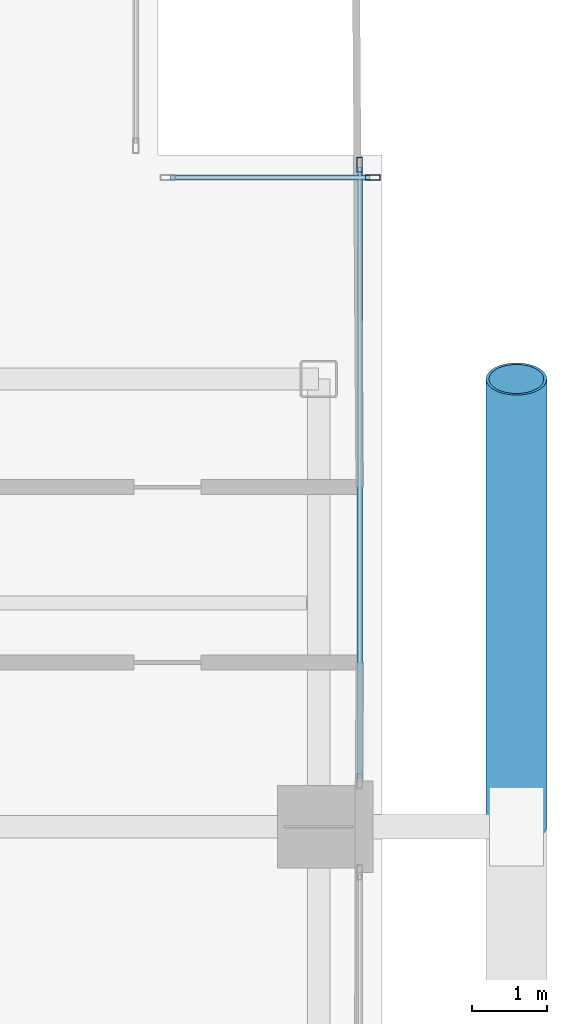
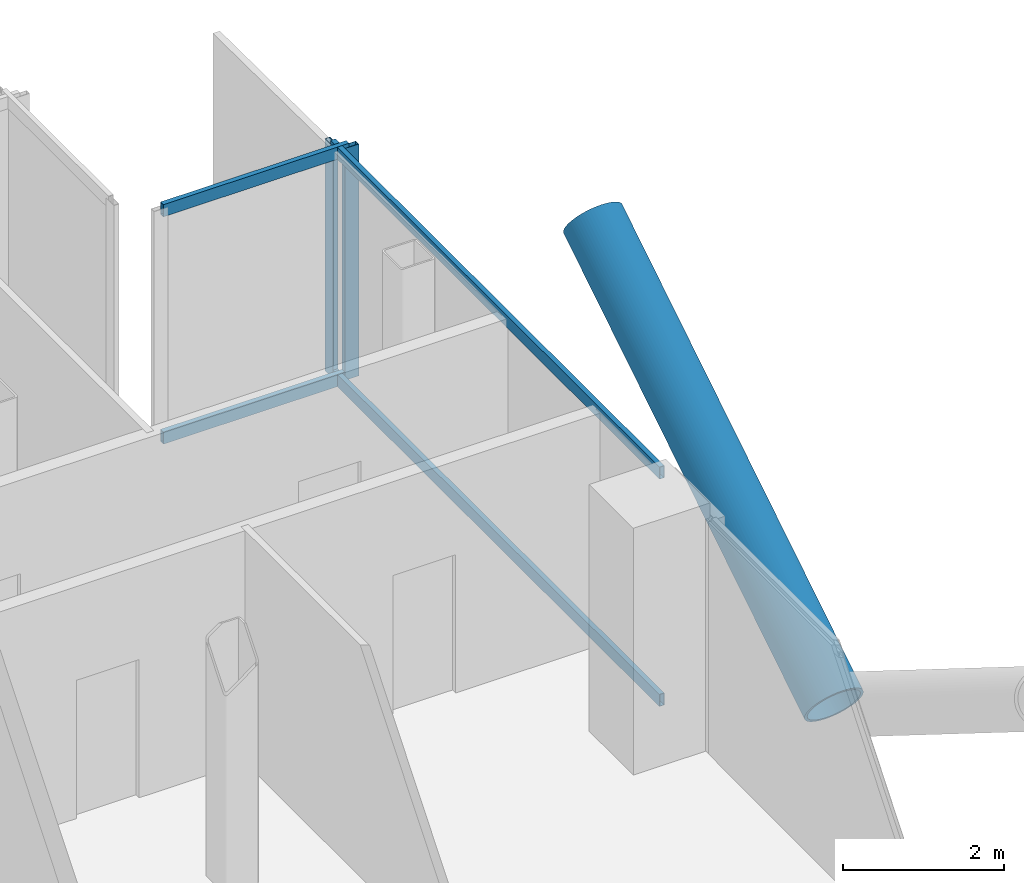
# One storey, part 13 of 24: 7 members, 2 elements without a shape of their own.
"""IFC4 building model written with IfcOpenShell, lengths in metres."""

from ifc_helpers import new_model, si_unit, direction, frame, origin, origin_2d, place, context, subcontext, project, spatial, hollow_rectangle, hollow_circle, extrude, material, layer, layer_set, material_profile, profile_set, type_object, element, aggregate, save


model = new_model("IFC4")

# Units and contexts
model_context = context("Model", 3, precision=1e-05, world=origin(), true_north=direction((0.0, 1.0)))
body_context = subcontext(model_context, "Body", "Model", "MODEL_VIEW")
ifc_project = project(units=[si_unit("LENGTHUNIT", "METRE"), si_unit("AREAUNIT", "SQUARE_METRE"), si_unit("VOLUMEUNIT", "CUBIC_METRE"), si_unit("PLANEANGLEUNIT", "RADIAN"), si_unit("MASSUNIT", "GRAM", prefix="KILO"), si_unit("THERMODYNAMICTEMPERATUREUNIT", "KELVIN"), si_unit("POWERUNIT", "WATT")], contexts=[model_context])

# Site, building, storey
site_placement = place(None, origin())
site = spatial("IfcSite", under=ifc_project, at=site_placement, CompositionType="ELEMENT")
building_placement = place(site_placement, origin())
building = spatial("IfcBuilding", under=site, at=building_placement, Name="Svarakhadi Broadcast Tower", CompositionType="ELEMENT")
storey_placement = place(building_placement, frame((0.0, 0.0, 145.64990234375)))
storey = spatial("IfcBuildingStorey", under=building, at=storey_placement, Name="L35", CompositionType="ELEMENT", Elevation=145.64990234375)

# Curtain wall, member
ifc_material_1 = material(Name="Anodised Bronze Aluminium AA 6063-T6", Category="aluminium")
ifc_layer = layer(ifc_material_1, 0.199951171875)
ifc_layer_set = layer_set([ifc_layer], Name="Anodised Bronze Aluminium AA 6063-T6")
curtain_wall_type = type_object("IfcCurtainWallType", Name="CW_Sys_03", PredefinedType="NOTDEFINED", material=ifc_layer_set)
curtain_wall_1_placement = place(storey_placement, origin())
curtain_wall_1 = element("IfcCurtainWall", 1, at=curtain_wall_1_placement, inside=storey, type_object=curtain_wall_type, Name="L35 Unitised Facade Curtain Wall 12", PredefinedType="NOTDEFINED")
ifc_material_profile_1 = material_profile(ifc_material_1, hollow_rectangle(XDim=0.074951171875, YDim=0.199951171875, WallThickness=0.005615234375, at=origin_2d()), Name="ALU MULLION 200x75x6")
ifc_profile_set_1 = profile_set([ifc_material_profile_1], Name="Anodised Bronze Aluminium AA 6063-T6")
member_type_1 = type_object("IfcMemberType", Name="CW_Sys_03_Mul", PredefinedType="MULLION", material=ifc_profile_set_1)
member_1_placement = place(storey_placement, frame((47.87255859375, 20.699951171875, 0.0), z_axis=(0.0, 0.0, 1.0), x_axis=(0.0, 1.0, 0.0)))
member_1 = element("IfcMember", 2, at=member_1_placement, type_object=member_type_1, Name="CW-03 mullion 2", PredefinedType="MULLION", context=body_context, shape_type="SweptSolid", body=[
    extrude(hollow_rectangle(XDim=0.074951171875, YDim=0.199951171875, WallThickness=0.005615234375, at=origin_2d()), origin(), (0.0, 0.0, 1.0), 3.525146484375),
])

curtain_wall_2_placement = place(storey_placement, origin())
curtain_wall_2 = element("IfcCurtainWall", 3, at=curtain_wall_2_placement, inside=storey, type_object=curtain_wall_type, Name="L35 Unitised Facade Curtain Wall 13 Bay 1", PredefinedType="NOTDEFINED")
member_2_placement = place(storey_placement, frame((47.699951171875, 20.87255859375, 0.0), z_axis=(0.0, 0.0, 1.0), x_axis=(1.0, 0.0, 0.0)))
member_2 = element("IfcMember", 4, at=member_2_placement, type_object=member_type_1, Name="CW-03 mullion 1", PredefinedType="MULLION", context=body_context, shape_type="SweptSolid", body=[
    extrude(hollow_rectangle(XDim=0.074951171875, YDim=0.199951171875, WallThickness=0.005615234375, at=origin_2d()), origin(), (0.0, 0.0, 1.0), 3.525146484375),
])

# Member
ifc_material_profile_2 = material_profile(ifc_material_1, hollow_rectangle(XDim=0.070068359375, YDim=0.18505859375, WallThickness=0.0048828125, at=origin_2d()), Name="ALU TRANSOM 185x70x5")
ifc_profile_set_2 = profile_set([ifc_material_profile_2], Name="Anodised Bronze Aluminium AA 6063-T6")
member_type_2 = type_object("IfcMemberType", Name="CW_Sys_03_Trn", PredefinedType="USERDEFINED", material=ifc_profile_set_2)
member_3_placement = place(storey_placement, frame((45.1650390625, 20.699951171875, 0.03515625), z_axis=(1.0, 0.0, 0.0), x_axis=(0.0, 1.0, 0.0)))
member_3 = element("IfcMember", 5, at=member_3_placement, type_object=member_type_2, Name="CW-03 transom 1.1", ObjectType="TRANSOM", PredefinedType="USERDEFINED", context=body_context, shape_type="SweptSolid", body=[
    extrude(hollow_rectangle(XDim=0.070068359375, YDim=0.18505859375, WallThickness=0.0048828125, at=origin_2d()), origin(), (0.0, 0.0, 1.0), 2.669921875),
])

member_4_placement = place(storey_placement, frame((45.1650390625, 20.699951171875, 3.489990234375), z_axis=(1.0, 0.0, 0.0), x_axis=(0.0, 1.0, 0.0)))
member_4 = element("IfcMember", 6, at=member_4_placement, type_object=member_type_2, Name="CW-03 transom 1.2", ObjectType="TRANSOM", PredefinedType="USERDEFINED", context=body_context, shape_type="SweptSolid", body=[
    extrude(hollow_rectangle(XDim=0.070068359375, YDim=0.18505859375, WallThickness=0.0048828125, at=origin_2d()), origin(), (0.0, 0.0, 1.0), 2.669921875),
])

aggregate(curtain_wall_1, [member_1, member_3, member_4])

member_5_placement = place(storey_placement, frame((47.699951171875, 20.8349609375, 0.03515625), z_axis=(0.0, -1.0, 0.0), x_axis=(1.0, 0.0, 0.0)))
member_5 = element("IfcMember", 7, at=member_5_placement, type_object=member_type_2, Name="CW-03 transom 1.1", ObjectType="TRANSOM", PredefinedType="USERDEFINED", context=body_context, shape_type="SweptSolid", body=[
    extrude(hollow_rectangle(XDim=0.070068359375, YDim=0.18505859375, WallThickness=0.0048828125, at=origin_2d()), origin(), (0.0, 0.0, 1.0), 8.18994140625),
])

member_6_placement = place(storey_placement, frame((47.699951171875, 20.8349609375, 3.489990234375), z_axis=(0.0, -1.0, 0.0), x_axis=(1.0, 0.0, 0.0)))
member_6 = element("IfcMember", 8, at=member_6_placement, type_object=member_type_2, Name="CW-03 transom 1.2", ObjectType="TRANSOM", PredefinedType="USERDEFINED", context=body_context, shape_type="SweptSolid", body=[
    extrude(hollow_rectangle(XDim=0.070068359375, YDim=0.18505859375, WallThickness=0.0048828125, at=origin_2d()), origin(), (0.0, 0.0, 1.0), 8.18994140625),
])

aggregate(curtain_wall_2, [member_2, member_5, member_6])

ifc_material_2 = material(Name="Steel S460ML (IS 2062 E450BR)", Category="steel")
ifc_material_profile_3 = material_profile(ifc_material_2, hollow_circle(Radius=0.406494140625, WallThickness=0.0400390625, at=origin_2d()), Name="CHS 813x40")
ifc_profile_set_3 = profile_set([ifc_material_profile_3], Name="Steel S460ML (IS 2062 E450BR)")
member_type_3 = type_object("IfcMemberType", Name="Exo_Brace_CHS813", PredefinedType="BRACE", material=ifc_profile_set_3)
member_7_placement = place(storey_placement, frame((49.800048828125, 12.0, -0.386962890625), z_axis=(0.0, 0.847998304005, 0.529998940003), x_axis=(-1.0, 0.0, 0.0)))
element("IfcMember", 9, at=member_7_placement, inside=storey, type_object=member_type_3, Name="L35 Exposed Bronze Exoskeleton Diagonal E07", PredefinedType="BRACE", context=body_context, shape_type="SweptSolid", body=[
    extrude(hollow_circle(Radius=0.406494140625, WallThickness=0.0400390625, at=origin_2d()), origin(), (0.0, 0.0, 1.0), 7.075439453125),
])

save(model, "model.ifc")
